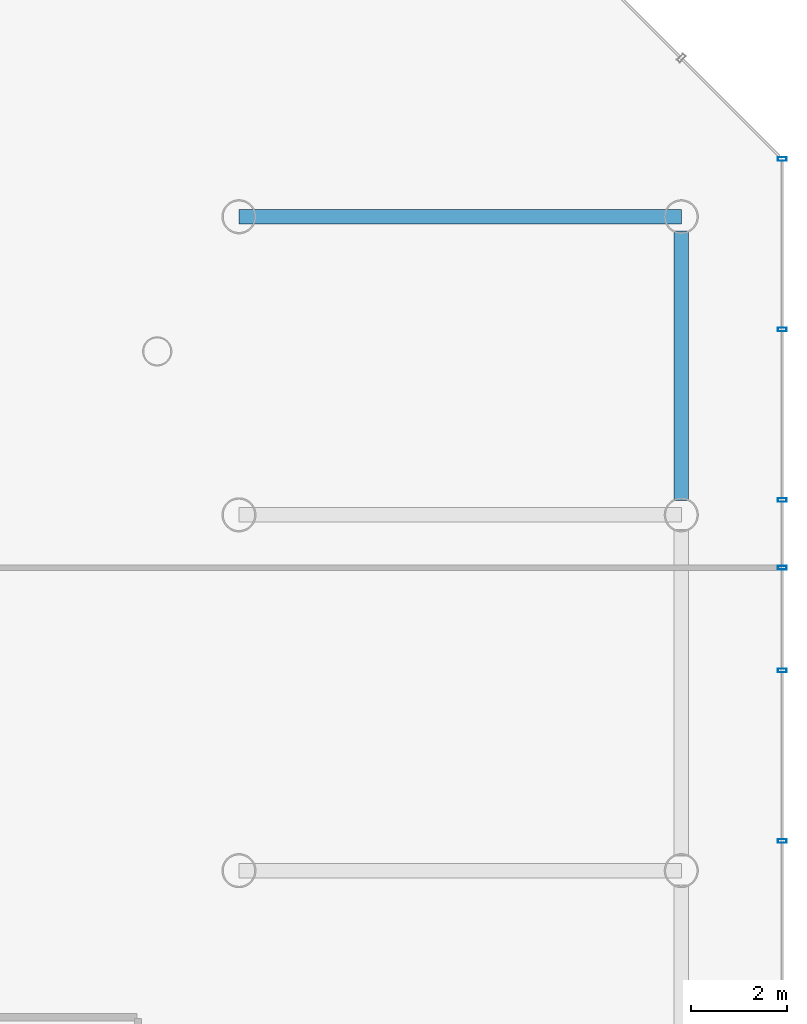
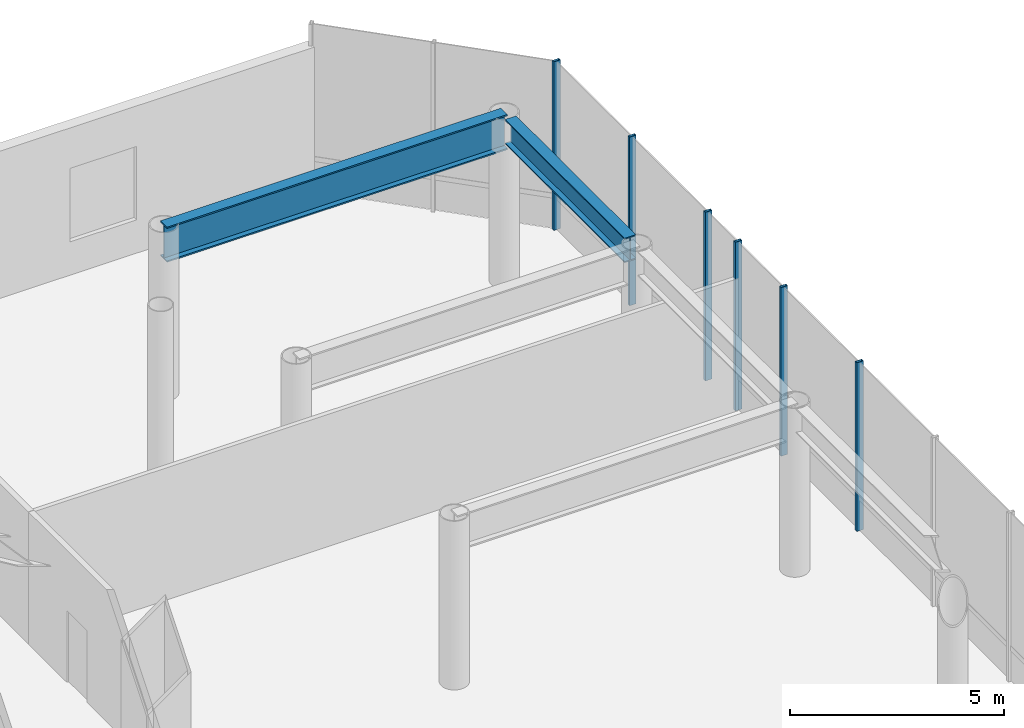
# One storey, part 19 of 31: 6 members, 2 beams, 1 element without a shape of its own.
"""IFC4 building model written with IfcOpenShell, lengths in metres."""

from ifc_helpers import new_model, si_unit, direction, frame, origin, origin_2d, place, context, subcontext, project, spatial, hollow_rectangle, i_section, extrude, material, layer, layer_set, material_profile, profile_set, type_object, element, aggregate, save


model = new_model("IFC4")

# Units and contexts
model_context = context("Model", 3, precision=1e-05, world=origin(), true_north=direction((0.0, 1.0)))
body_context = subcontext(model_context, "Body", "Model", "MODEL_VIEW")
ifc_project = project(units=[si_unit("LENGTHUNIT", "METRE"), si_unit("AREAUNIT", "SQUARE_METRE"), si_unit("VOLUMEUNIT", "CUBIC_METRE"), si_unit("PLANEANGLEUNIT", "RADIAN"), si_unit("MASSUNIT", "GRAM", prefix="KILO")], contexts=[model_context])

# Site, building, storey
site_placement = place(None, origin())
site = spatial("IfcSite", under=ifc_project, at=site_placement, CompositionType="ELEMENT")
building_placement = place(site_placement, origin())
building = spatial("IfcBuilding", under=site, at=building_placement, Name="Zarrinselat Tower", CompositionType="ELEMENT")
storey_placement = place(building_placement, origin())
storey = spatial("IfcBuildingStorey", under=building, at=storey_placement, Name="L00", CompositionType="ELEMENT", Elevation=0.0)

# Beams
ifc_material_1 = material(Name="Steel S355J2", Category="steel")
ifc_material_profile_1 = material_profile(ifc_material_1, i_section(OverallWidth=0.300048828125, OverallDepth=0.699951171875, WebThickness=0.01708984375, FlangeThickness=0.031982421875, at=origin_2d()), Name="HEB 700")
ifc_profile_set_1 = profile_set([ifc_material_profile_1], Name="Steel S355J2")
beam_type_1 = type_object("IfcBeamType", Name="BM-HEB700", PredefinedType="SPANDREL", material=ifc_profile_set_1)
beam_1_placement = place(storey_placement, frame((77.199951171875, 40.89990234375, 4.469970703125), z_axis=(0.0, 1.0, 0.0), x_axis=(-1.0, 0.0, 0.0)))
element("IfcBeam", 1, at=beam_1_placement, inside=storey, type_object=beam_type_1, Name="L00 Podium Perimeter Beam E-40", PredefinedType="SPANDREL", context=body_context, shape_type="SweptSolid", body=[
    extrude(i_section(OverallWidth=0.300048828125, OverallDepth=0.699951171875, WebThickness=0.01708984375, FlangeThickness=0.031982421875, at=origin_2d()), origin(), (0.0, 0.0, 1.0), 5.60009765625),
])
ifc_material_2 = material(Name="Steel S460M", Category="steel")
ifc_material_profile_2 = material_profile(ifc_material_2, i_section(OverallWidth=0.302001953125, OverallDepth=1.008056640625, WebThickness=0.02099609375, FlangeThickness=0.0400390625, at=origin_2d()), Name="HEM 1000")
ifc_profile_set_2 = profile_set([ifc_material_profile_2], Name="Steel S460M")
beam_type_2 = type_object("IfcBeamType", Name="BM-PDTR-HEM1000", PredefinedType="BEAM", material=ifc_profile_set_2)
beam_2_placement = place(storey_placement, frame((68.0, 46.800048828125, 4.31591796875), z_axis=(1.0, 0.0, 0.0), x_axis=(0.0, 1.0, 0.0)))
element("IfcBeam", 2, at=beam_2_placement, inside=storey, type_object=beam_type_2, Name="L00 Podium Transfer Girder E-46", PredefinedType="BEAM", context=body_context, shape_type="SweptSolid", body=[
    extrude(i_section(OverallWidth=0.302001953125, OverallDepth=1.008056640625, WebThickness=0.02099609375, FlangeThickness=0.0400390625, at=origin_2d()), origin(), (0.0, 0.0, 1.0), 9.199951171875),
])

# Curtain wall, members
ifc_material_3 = material(Name="Extruded Aluminium Alloy EN AW-6063 T6", Category="aluminium")
ifc_layer = layer(ifc_material_3, 0.2099609375)
ifc_layer_set = layer_set([ifc_layer], Name="Extruded Aluminium Alloy EN AW-6063 T6")
curtain_wall_type = type_object("IfcCurtainWallType", Name="CWS-POD", PredefinedType="NOTDEFINED", material=ifc_layer_set)
curtain_wall_placement = place(storey_placement, origin())
curtain_wall = element("IfcCurtainWall", 3, at=curtain_wall_placement, inside=storey, type_object=curtain_wall_type, Name="L00 Unitised Curtain Wall CW-L00-E3", PredefinedType="NOTDEFINED")
ifc_material_4 = material(Name="Extruded Aluminium Alloy EN AW-6063 T6", Category="aluminium")
ifc_material_profile_3 = material_profile(ifc_material_4, hollow_rectangle(XDim=0.080078125, YDim=0.179931640625, WallThickness=0.0048828125, at=origin_2d()), Name="RHS 180x80x5")
ifc_profile_set_3 = profile_set([ifc_material_profile_3], Name="Extruded Aluminium Alloy EN AW-6063 T6")
member_type = type_object("IfcMemberType", Name="MEM-CW-MUL", PredefinedType="MULLION", material=ifc_profile_set_3)
member_1_placement = place(storey_placement, frame((79.300048828125, 33.818115234375, 0.0), z_axis=(0.0, 0.0, 1.0), x_axis=(0.0, 1.0, 0.0)))
member_1 = element("IfcMember", 4, at=member_1_placement, type_object=member_type, Name="CW-L00-E3 Mullion 7", PredefinedType="MULLION", context=body_context, shape_type="SweptSolid", body=[
    extrude(hollow_rectangle(XDim=0.080078125, YDim=0.179931640625, WallThickness=0.0048828125, at=origin_2d()), origin(), (0.0, 0.0, 1.0), 4.820068359375),
])
member_2_placement = place(storey_placement, frame((79.300048828125, 37.363525390625, 0.0), z_axis=(0.0, 0.0, 1.0), x_axis=(0.0, 1.0, 0.0)))
member_2 = element("IfcMember", 5, at=member_2_placement, type_object=member_type, Name="CW-L00-E3 Mullion 8", PredefinedType="MULLION", context=body_context, shape_type="SweptSolid", body=[
    extrude(hollow_rectangle(XDim=0.080078125, YDim=0.179931640625, WallThickness=0.0048828125, at=origin_2d()), origin(), (0.0, 0.0, 1.0), 4.820068359375),
])
member_3_placement = place(storey_placement, frame((79.300048828125, 39.5, 0.0), z_axis=(0.0, 0.0, 1.0), x_axis=(0.0, 1.0, 0.0)))
member_3 = element("IfcMember", 6, at=member_3_placement, type_object=member_type, Name="CW-L00-E3 Mullion 9", PredefinedType="MULLION", context=body_context, shape_type="SweptSolid", body=[
    extrude(hollow_rectangle(XDim=0.080078125, YDim=0.179931640625, WallThickness=0.0048828125, at=origin_2d()), origin(), (0.0, 0.0, 1.0), 4.820068359375),
])
member_4_placement = place(storey_placement, frame((79.300048828125, 40.9091796875, 0.0), z_axis=(0.0, 0.0, 1.0), x_axis=(0.0, 1.0, 0.0)))
member_4 = element("IfcMember", 7, at=member_4_placement, type_object=member_type, Name="CW-L00-E3 Mullion 10", PredefinedType="MULLION", context=body_context, shape_type="SweptSolid", body=[
    extrude(hollow_rectangle(XDim=0.080078125, YDim=0.179931640625, WallThickness=0.0048828125, at=origin_2d()), origin(), (0.0, 0.0, 1.0), 4.820068359375),
])
member_5_placement = place(storey_placement, frame((79.300048828125, 44.45458984375, 0.0), z_axis=(0.0, 0.0, 1.0), x_axis=(0.0, 1.0, 0.0)))
member_5 = element("IfcMember", 8, at=member_5_placement, type_object=member_type, Name="CW-L00-E3 Mullion 11", PredefinedType="MULLION", context=body_context, shape_type="SweptSolid", body=[
    extrude(hollow_rectangle(XDim=0.080078125, YDim=0.179931640625, WallThickness=0.0048828125, at=origin_2d()), origin(), (0.0, 0.0, 1.0), 4.820068359375),
])
member_6_placement = place(storey_placement, frame((79.300048828125, 48.0, 0.0), z_axis=(0.0, 0.0, 1.0), x_axis=(0.0, 1.0, 0.0)))
member_6 = element("IfcMember", 9, at=member_6_placement, type_object=member_type, Name="CW-L00-E3 Mullion 12", PredefinedType="MULLION", context=body_context, shape_type="SweptSolid", body=[
    extrude(hollow_rectangle(XDim=0.080078125, YDim=0.179931640625, WallThickness=0.0048828125, at=origin_2d()), origin(), (0.0, 0.0, 1.0), 4.820068359375),
])
aggregate(curtain_wall, [member_1, member_2, member_3, member_4, member_5, member_6])

save(model, "model.ifc")
